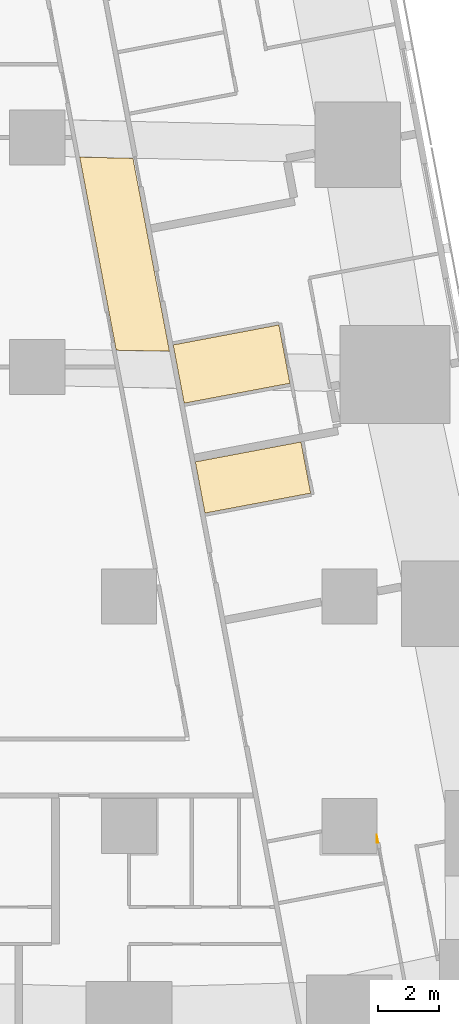
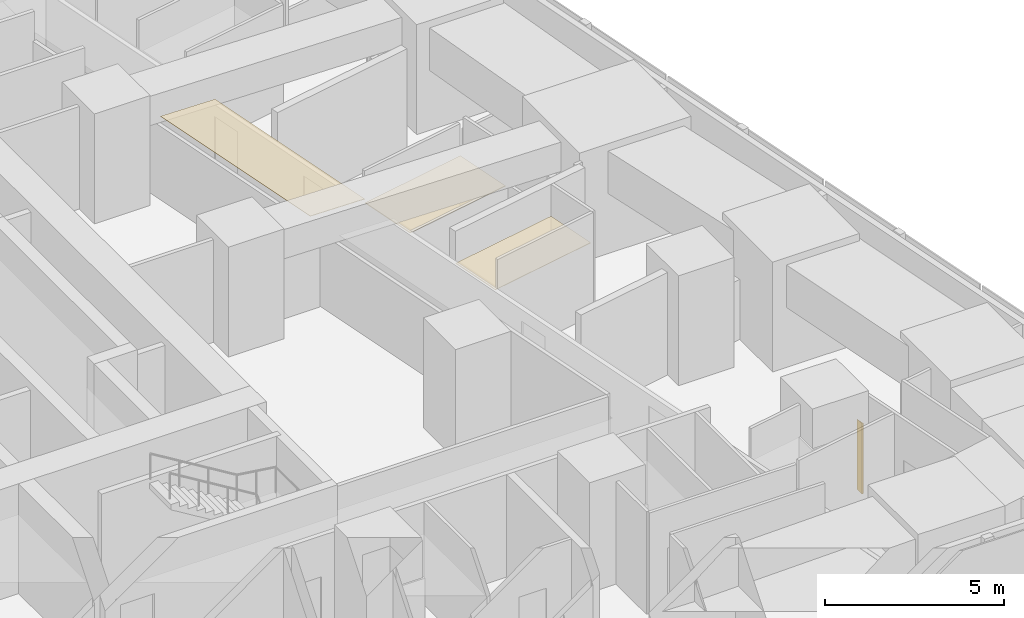
# One storey, part 14 of 15: 4 coverings.
"""IFC4 building model written with IfcOpenShell, lengths in metres."""

from ifc_helpers import new_model, si_unit, direction, frame, origin, place, context, subcontext, project, spatial, polyline, outline, extrude, material, layer, layer_set, type_object, element, save


model = new_model("IFC4")

# Units and contexts
model_context = context("Model", 3, precision=1e-05, world=origin(), true_north=direction((0.0, 1.0)))
body_context = subcontext(model_context, "Body", "Model", "MODEL_VIEW")
ifc_project = project(units=[si_unit("LENGTHUNIT", "METRE"), si_unit("AREAUNIT", "SQUARE_METRE"), si_unit("VOLUMEUNIT", "CUBIC_METRE"), si_unit("PLANEANGLEUNIT", "RADIAN"), si_unit("MASSUNIT", "GRAM", prefix="KILO")], contexts=[model_context])

# Site, building, storey
site_placement = place(None, origin())
site = spatial("IfcSite", under=ifc_project, at=site_placement, CompositionType="ELEMENT")
building_placement = place(site_placement, origin())
building = spatial("IfcBuilding", under=site, at=building_placement, Name="Sheger Commons Tower", CompositionType="ELEMENT")
storey_placement = place(building_placement, frame((0.0, 0.0, 65.0)))
storey = spatial("IfcBuildingStorey", under=building, at=storey_placement, Name="L16", CompositionType="ELEMENT", Elevation=65.0)

# Coverings
ifc_material_1 = material(Name="Moisture-resistant gypsum plasterboard 15 mm on a suspended galvanised steel grid", Category="steel")
ifc_layer_1 = layer(ifc_material_1, 0.014892578125)
ifc_layer_set_1 = layer_set([ifc_layer_1], Name="MOISTURE-RESISTANT CEILING 15")
covering_type_1 = type_object("IfcCoveringType", Name="MOISTURE-RESISTANT CEILING 15", PredefinedType="CEILING", material=ifc_layer_set_1)
covering_1_placement = place(storey_placement, frame((0.0, 0.0, 2.39990234375)))
element("IfcCovering", 1, at=covering_1_placement, inside=storey, type_object=covering_type_1, Name="L16-10.B1 ceiling", PredefinedType="CEILING", context=body_context, shape_type="SweptSolid", body=[
    extrude(outline(polyline([(37.803955078125, 21.320068359375), (41.258056640625, 21.971923828125), (40.89794921875, 23.87890625), (37.444091796875, 23.22607421875), (37.803955078125, 21.320068359375)])), origin(), (0.0, 0.0, 1.0), 0.01513671875),
])
covering_2_placement = place(storey_placement, frame((0.0, 0.0, 2.39990234375)))
element("IfcCovering", 2, at=covering_2_placement, inside=storey, type_object=covering_type_1, Name="L16-11.B1 ceiling", PredefinedType="CEILING", context=body_context, shape_type="SweptSolid", body=[
    extrude(outline(polyline([(38.48291015625, 17.72802734375), (41.93701171875, 18.3798828125), (41.6201171875, 20.054931640625), (38.1669921875, 19.403076171875), (38.48291015625, 17.72802734375)])), origin(), (0.0, 0.0, 1.0), 0.01513671875),
])
ifc_material_2 = material(Name="Gypsum plasterboard 15 mm on a suspended steel grid", Category="steel")
ifc_layer_2 = layer(ifc_material_2, 0.014892578125)
ifc_layer_set_2 = layer_set([ifc_layer_2], Name="SUSPENDED CEILING 15")
covering_type_2 = type_object("IfcCoveringType", Name="SUSPENDED CEILING 15", PredefinedType="CEILING", material=ifc_layer_set_2)
covering_3_placement = place(storey_placement, frame((0.0, 0.0, 2.699951171875)))
element("IfcCovering", 3, at=covering_3_placement, inside=storey, type_object=covering_type_2, Name="L16-CO ceiling", PredefinedType="CEILING", context=body_context, shape_type="SweptSolid", body=[
    extrude(outline(polyline([(37.321044921875, 23.01806640625), (36.1298828125, 29.323974609375), (34.388916015625, 29.363037109375), (35.5810546875, 23.052978515625), (37.321044921875, 23.01806640625)])), origin(), (0.0, 0.0, 1.0), 0.01513671875),
])
ifc_material_3 = material(Name="Moisture-resistant gypsum board 12.5 mm on 25 mm treated timber battens, tanked and tiled", Category="wood")
ifc_layer_3 = layer(ifc_material_3, 0.050048828125)
ifc_layer_set_3 = layer_set([ifc_layer_3], Name="WET-ROOM COLUMN LINING")
covering_type_3 = type_object("IfcCoveringType", Name="WET-ROOM COLUMN LINING", PredefinedType="CLADDING", material=ifc_layer_set_3)
covering_4_placement = place(storey_placement, origin())
element("IfcCovering", 4, at=covering_4_placement, inside=storey, type_object=covering_type_3, Name="Bathroom column lining C8 L16", PredefinedType="CLADDING", context=body_context, shape_type="SweptSolid", body=[
    extrude(outline(polyline([(44.10009765625, 7.221923828125), (44.14990234375, 6.9599609375), (44.10009765625, 6.950927734375), (44.10009765625, 7.221923828125)])), origin(), (0.0, 0.0, 1.0), 2.39990234375),
])

save(model, "model.ifc")
